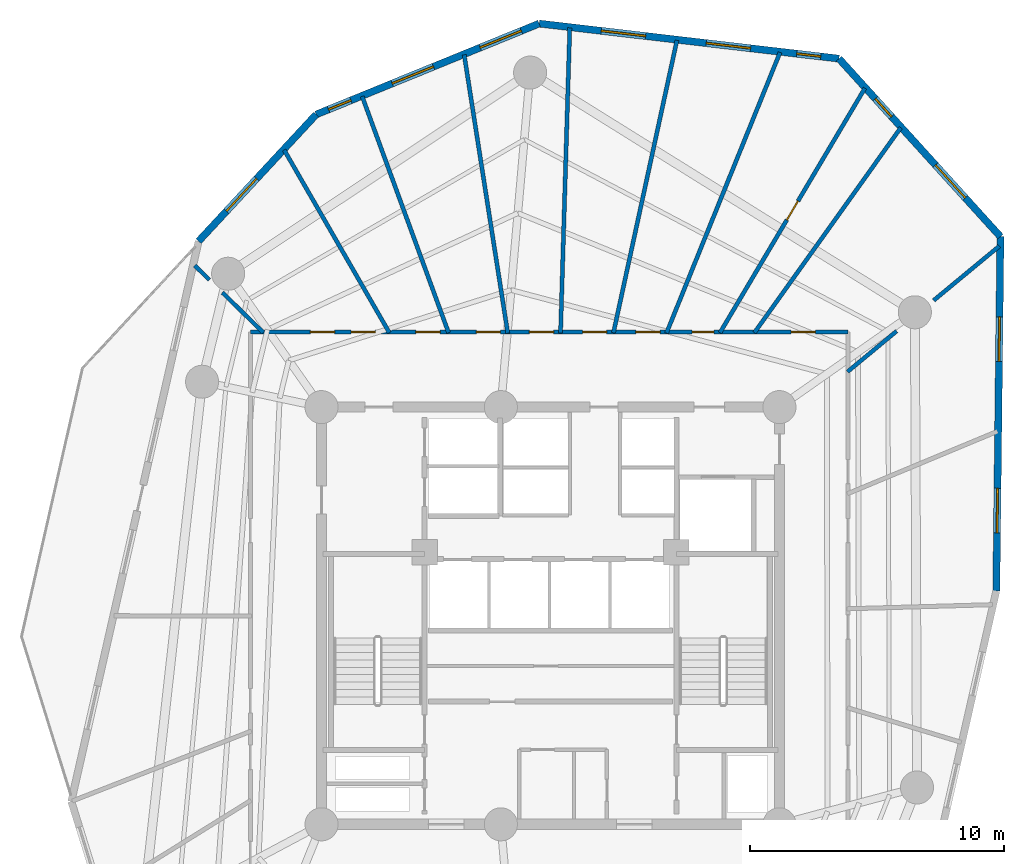
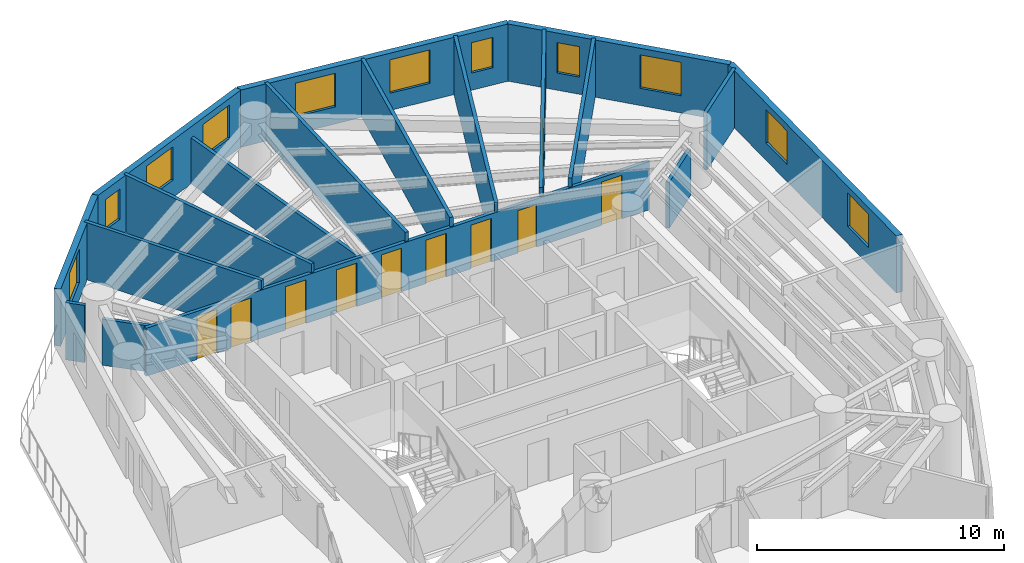
# One storey, part 6 of 9: 18 walls, 11 windows, 10 doors, 21 openings.
"""IFC4 building model written with IfcOpenShell, lengths in metres."""

from ifc_helpers import new_model, si_unit, direction, frame, frame_2d, origin, origin_with_axes, place, context, subcontext, project, spatial, rectangle, extrude, source, transform, mapped, material, layer, layer_set, type_object, element, fill, save


model = new_model("IFC4")

# Units and contexts
model_context = context("Model", 3, precision=1e-05, world=origin(), true_north=direction((0.0, 1.0)))
body_context = subcontext(model_context, "Body", "Model", "MODEL_VIEW")
ifc_project = project(units=[si_unit("LENGTHUNIT", "METRE"), si_unit("AREAUNIT", "SQUARE_METRE"), si_unit("VOLUMEUNIT", "CUBIC_METRE"), si_unit("PLANEANGLEUNIT", "RADIAN"), si_unit("MASSUNIT", "GRAM", prefix="KILO")], contexts=[model_context])

# Site, building, storey
site_placement = place(None, origin())
site = spatial("IfcSite", under=ifc_project, at=site_placement, CompositionType="ELEMENT")
building_placement = place(site_placement, origin())
building = spatial("IfcBuilding", under=site, at=building_placement, Name="Karkom Vertical University and Central Library", CompositionType="ELEMENT")
storey_placement = place(building_placement, frame((0.0, 0.0, 156.550048828125)))
storey = spatial("IfcBuildingStorey", under=building, at=storey_placement, Name="L44", CompositionType="ELEMENT", Elevation=156.550048828125)

# Wall, openings, windows
ifc_material_1 = material(Name="Brick-faced precast concrete C45/55", Category="masonry")
ifc_layer_1 = layer(ifc_material_1, 0.280029296875)
ifc_layer_set_1 = layer_set([ifc_layer_1], Name="Brick-faced precast concrete C45/55")
wall_type_1 = type_object("IfcWallType", Name="ENV-WL-BRK-280", PredefinedType="SOLIDWALL", material=ifc_layer_set_1)
wall_1_placement = place(storey_placement, frame((46.027099609375, 27.477294921875, 0.0), z_axis=(0.0, 0.0, 1.0), x_axis=(0.011517670731, 0.999933669431, 0.0)))
wall_1 = element("IfcWall", 1, at=wall_1_placement, inside=storey, type_object=wall_type_1, Name="Level 44 Brick-Faced Precast Facade Wall 07", PredefinedType="SOLIDWALL", context=body_context, shape_type="SweptSolid", body=[
    extrude(rectangle(XDim=13.926513671875, YDim=0.280029296875, at=frame_2d((6.96337890625, 0.0))), origin(), (0.0, 0.0, 1.0), 2.824951171875),
])
opening_1_placement = place(wall_1_placement, frame((2.283203125, 0.0, 0.85009765625)))
opening_1 = element("IfcOpeningElement", 2, at=opening_1_placement, cuts=wall_1, Name="Opening WN-08", PredefinedType="OPENING", context=body_context, shape_type="SweptSolid", body=[
    extrude(rectangle(XDim=1.75, YDim=1.64990234375, at=frame_2d((0.875, 0.824951171875))), frame((0.0, 0.14990234375, 0.0), z_axis=(0.0, -1.0, 0.0), x_axis=(1.0, 0.0, 0.0)), (0.0, 0.0, 1.0), 0.300048828125),
])
opening_2_placement = place(wall_1_placement, frame((9.018310546875, 0.0, 0.85009765625)))
opening_2 = element("IfcOpeningElement", 3, at=opening_2_placement, cuts=wall_1, Name="Opening WN-08", PredefinedType="OPENING", context=body_context, shape_type="SweptSolid", body=[
    extrude(rectangle(XDim=1.75, YDim=1.64990234375, at=frame_2d((0.875, 0.824951171875))), frame((0.0, 0.14990234375, 0.0), z_axis=(0.0, -1.0, 0.0), x_axis=(1.0, 0.0, 0.0)), (0.0, 0.0, 1.0), 0.300048828125),
])
ifc_material_2 = material(Name="Aluminium thermal-break frame with solar-control IGU", Category="aluminium")
window_type_1 = type_object("IfcWindowType", Name="ENV-WIN-WN-08", PartitioningType="SINGLE_PANEL", PredefinedType="WINDOW", material=ifc_material_2)
shared_shape_1 = source(origin_with_axes(), body_context, "Body", "SweptSolid", [
    extrude(rectangle(XDim=1.75, YDim=1.64990234375, at=frame_2d((0.875, 0.824951171875))), frame((0.0, 0.030029296875, 0.0), z_axis=(0.0, -1.0, 0.0), x_axis=(1.0, 0.0, 0.0)), (0.0, 0.0, 1.0), 0.06005859375),
])
window_1_placement = place(opening_1_placement, origin())
window_1 = element("IfcWindow", 4, at=window_1_placement, inside=storey, type_object=window_type_1, Name="Level 44 Punched Window 7.1", OverallHeight=1.64990234375, OverallWidth=1.75, PartitioningType="SINGLE_PANEL", PredefinedType="WINDOW", context=body_context, shape_type="MappedRepresentation", body=[
    mapped(shared_shape_1, transform((0.0, 0.0, 0.0), scale=1.0)),
])
fill(opening_1, window_1)
window_2_placement = place(opening_2_placement, origin())
window_2 = element("IfcWindow", 5, at=window_2_placement, inside=storey, type_object=window_type_1, Name="Level 44 Punched Window 7.2", OverallHeight=1.64990234375, OverallWidth=1.75, PartitioningType="SINGLE_PANEL", PredefinedType="WINDOW", context=body_context, shape_type="MappedRepresentation", body=[
    mapped(shared_shape_1, transform((0.0, 0.0, 0.0), scale=1.0)),
])
fill(opening_2, window_2)

wall_2_placement = place(storey_placement, frame((46.1875, 41.40283203125, 0.0), z_axis=(0.0, 0.0, 1.0), x_axis=(-0.671855500446, 0.740682243962, 0.0)))
wall_2 = element("IfcWall", 6, at=wall_2_placement, inside=storey, type_object=wall_type_1, Name="Level 44 Brick-Faced Precast Facade Wall 08", PredefinedType="SOLIDWALL", context=body_context, shape_type="SweptSolid", body=[
    extrude(rectangle(XDim=9.446044921875, YDim=0.280029296875, at=frame_2d((4.72314453125, 0.0))), origin(), (0.0, 0.0, 1.0), 2.824951171875),
])
opening_3_placement = place(wall_2_placement, frame((2.052734375, 0.0, 0.85009765625)))
opening_3 = element("IfcOpeningElement", 7, at=opening_3_placement, cuts=wall_2, Name="Opening WN-08", PredefinedType="OPENING", context=body_context, shape_type="SweptSolid", body=[
    extrude(rectangle(XDim=1.75, YDim=1.64990234375, at=frame_2d((0.875, 0.824951171875))), frame((0.0, 0.14990234375, 0.0), z_axis=(0.0, -1.0, 0.0), x_axis=(1.0, 0.0, 0.0)), (0.0, 0.0, 1.0), 0.300048828125),
])
opening_4_placement = place(wall_2_placement, frame((6.36767578125, 0.0, 0.85009765625)))
opening_4 = element("IfcOpeningElement", 8, at=opening_4_placement, cuts=wall_2, Name="Opening WN-12", PredefinedType="OPENING", context=body_context, shape_type="SweptSolid", body=[
    extrude(rectangle(XDim=0.949951171875, YDim=1.5, at=frame_2d((0.47509765625, 0.75))), frame((0.0, 0.14990234375, 0.0), z_axis=(0.0, -1.0, 0.0), x_axis=(1.0, 0.0, 0.0)), (0.0, 0.0, 1.0), 0.300048828125),
])
window_type_2 = type_object("IfcWindowType", Name="ENV-WIN-WN-12", PartitioningType="SINGLE_PANEL", PredefinedType="WINDOW", material=ifc_material_2)
shared_shape_2 = source(origin_with_axes(), body_context, "Body", "SweptSolid", [
    extrude(rectangle(XDim=0.949951171875, YDim=1.5, at=frame_2d((0.47509765625, 0.75))), frame((0.0, 0.030029296875, 0.0), z_axis=(0.0, -1.0, 0.0), x_axis=(1.0, 0.0, 0.0)), (0.0, 0.0, 1.0), 0.06005859375),
])
window_3_placement = place(opening_4_placement, origin())
window_3 = element("IfcWindow", 9, at=window_3_placement, inside=storey, type_object=window_type_2, Name="Level 44 Punched Window 8.2", OverallHeight=1.5, OverallWidth=0.949951171875, PartitioningType="SINGLE_PANEL", PredefinedType="WINDOW", context=body_context, shape_type="MappedRepresentation", body=[
    mapped(shared_shape_2, transform((0.0, 0.0, 0.0), scale=1.0)),
])
fill(opening_4, window_3)
window_4_placement = place(opening_3_placement, origin())
window_4 = element("IfcWindow", 10, at=window_4_placement, inside=storey, type_object=window_type_1, Name="Level 44 Punched Window 8.1", OverallHeight=1.64990234375, OverallWidth=1.75, PartitioningType="SINGLE_PANEL", PredefinedType="WINDOW", context=body_context, shape_type="MappedRepresentation", body=[
    mapped(shared_shape_1, transform((0.0, 0.0, 0.0), scale=1.0)),
])
fill(opening_3, window_4)

wall_3_placement = place(storey_placement, frame((39.841064453125, 48.3994140625, 0.0), z_axis=(0.0, 0.0, 1.0), x_axis=(-0.993227616233, 0.116184776764, 0.0)))
wall_3 = element("IfcWall", 11, at=wall_3_placement, inside=storey, type_object=wall_type_1, Name="Level 44 Brick-Faced Precast Facade Wall 09", PredefinedType="SOLIDWALL", context=body_context, shape_type="SweptSolid", body=[
    extrude(rectangle(XDim=11.8681640625, YDim=0.280029296875, at=frame_2d((5.93408203125, 0.0))), origin(), (0.0, 0.0, 1.0), 2.824951171875),
])
opening_5_placement = place(wall_3_placement, frame((0.724609375, 0.0, 0.85009765625)))
opening_5 = element("IfcOpeningElement", 12, at=opening_5_placement, cuts=wall_3, Name="Opening WN-12", PredefinedType="OPENING", context=body_context, shape_type="SweptSolid", body=[
    extrude(rectangle(XDim=0.949951171875, YDim=1.5, at=frame_2d((0.47509765625, 0.75))), frame((0.0, 0.14990234375, 0.0), z_axis=(0.0, -1.0, 0.0), x_axis=(1.0, 0.0, 0.0)), (0.0, 0.0, 1.0), 0.300048828125),
])
opening_6_placement = place(wall_3_placement, frame((3.50146484375, 0.0, 0.85009765625)))
opening_6 = element("IfcOpeningElement", 13, at=opening_6_placement, cuts=wall_3, Name="Opening WN-08", PredefinedType="OPENING", context=body_context, shape_type="SweptSolid", body=[
    extrude(rectangle(XDim=1.75, YDim=1.64990234375, at=frame_2d((0.875, 0.824951171875))), frame((0.0, 0.14990234375, 0.0), z_axis=(0.0, -1.0, 0.0), x_axis=(1.0, 0.0, 0.0)), (0.0, 0.0, 1.0), 0.300048828125),
])
opening_7_placement = place(wall_3_placement, frame((7.656005859375, 0.0, 0.85009765625)))
opening_7 = element("IfcOpeningElement", 14, at=opening_7_placement, cuts=wall_3, Name="Opening WN-08", PredefinedType="OPENING", context=body_context, shape_type="SweptSolid", body=[
    extrude(rectangle(XDim=1.75, YDim=1.64990234375, at=frame_2d((0.875, 0.824951171875))), frame((0.0, 0.14990234375, 0.0), z_axis=(0.0, -1.0, 0.0), x_axis=(1.0, 0.0, 0.0)), (0.0, 0.0, 1.0), 0.300048828125),
])
window_5_placement = place(opening_5_placement, origin())
window_5 = element("IfcWindow", 15, at=window_5_placement, inside=storey, type_object=window_type_2, Name="Level 44 Punched Window 9.1", OverallHeight=1.5, OverallWidth=0.949951171875, PartitioningType="SINGLE_PANEL", PredefinedType="WINDOW", context=body_context, shape_type="MappedRepresentation", body=[
    mapped(shared_shape_2, transform((0.0, 0.0, 0.0), scale=1.0)),
])
fill(opening_5, window_5)
window_6_placement = place(opening_6_placement, origin())
window_6 = element("IfcWindow", 16, at=window_6_placement, inside=storey, type_object=window_type_1, Name="Level 44 Punched Window 9.2", OverallHeight=1.64990234375, OverallWidth=1.75, PartitioningType="SINGLE_PANEL", PredefinedType="WINDOW", context=body_context, shape_type="MappedRepresentation", body=[
    mapped(shared_shape_1, transform((0.0, 0.0, 0.0), scale=1.0)),
])
fill(opening_6, window_6)
window_7_placement = place(opening_7_placement, origin())
window_7 = element("IfcWindow", 17, at=window_7_placement, inside=storey, type_object=window_type_1, Name="Level 44 Punched Window 9.3", OverallHeight=1.64990234375, OverallWidth=1.75, PartitioningType="SINGLE_PANEL", PredefinedType="WINDOW", context=body_context, shape_type="MappedRepresentation", body=[
    mapped(shared_shape_1, transform((0.0, 0.0, 0.0), scale=1.0)),
])
fill(opening_7, window_7)

wall_4_placement = place(storey_placement, frame((28.05322265625, 49.7783203125, 0.0), z_axis=(0.0, 0.0, 1.0), x_axis=(-0.925936748152, -0.377678617903, 0.0)))
wall_4 = element("IfcWall", 18, at=wall_4_placement, inside=storey, type_object=wall_type_1, Name="Level 44 Brick-Faced Precast Facade Wall 10", PredefinedType="SOLIDWALL", context=body_context, shape_type="SweptSolid", body=[
    extrude(rectangle(XDim=9.46630859375, YDim=0.280029296875, at=frame_2d((4.733154296875, 0.0))), origin(), (0.0, 0.0, 1.0), 2.824951171875),
])
opening_8_placement = place(wall_4_placement, frame((0.75439453125, 0.0, 0.85009765625)))
opening_8 = element("IfcOpeningElement", 19, at=opening_8_placement, cuts=wall_4, Name="Opening WN-08", PredefinedType="OPENING", context=body_context, shape_type="SweptSolid", body=[
    extrude(rectangle(XDim=1.75, YDim=1.64990234375, at=frame_2d((0.875, 0.824951171875))), frame((0.0, 0.14990234375, 0.0), z_axis=(0.0, -1.0, 0.0), x_axis=(1.0, 0.0, 0.0)), (0.0, 0.0, 1.0), 0.300048828125),
])
opening_9_placement = place(wall_4_placement, frame((4.486328125, 0.0, 0.85009765625)))
opening_9 = element("IfcOpeningElement", 20, at=opening_9_placement, cuts=wall_4, Name="Opening WN-08", PredefinedType="OPENING", context=body_context, shape_type="SweptSolid", body=[
    extrude(rectangle(XDim=1.75, YDim=1.64990234375, at=frame_2d((0.875, 0.824951171875))), frame((0.0, 0.14990234375, 0.0), z_axis=(0.0, -1.0, 0.0), x_axis=(1.0, 0.0, 0.0)), (0.0, 0.0, 1.0), 0.300048828125),
])
opening_10_placement = place(wall_4_placement, frame((7.989990234375, 0.0, 0.85009765625)))
opening_10 = element("IfcOpeningElement", 21, at=opening_10_placement, cuts=wall_4, Name="Opening WN-12", PredefinedType="OPENING", context=body_context, shape_type="SweptSolid", body=[
    extrude(rectangle(XDim=0.949951171875, YDim=1.5, at=frame_2d((0.47509765625, 0.75))), frame((0.0, 0.14990234375, 0.0), z_axis=(0.0, -1.0, 0.0), x_axis=(1.0, 0.0, 0.0)), (0.0, 0.0, 1.0), 0.300048828125),
])
window_8_placement = place(opening_10_placement, origin())
window_8 = element("IfcWindow", 22, at=window_8_placement, inside=storey, type_object=window_type_2, Name="Level 44 Punched Window 10.3", OverallHeight=1.5, OverallWidth=0.949951171875, PartitioningType="SINGLE_PANEL", PredefinedType="WINDOW", context=body_context, shape_type="MappedRepresentation", body=[
    mapped(shared_shape_2, transform((0.0, 0.0, 0.0), scale=1.0)),
])
fill(opening_10, window_8)
window_9_placement = place(opening_8_placement, origin())
window_9 = element("IfcWindow", 23, at=window_9_placement, inside=storey, type_object=window_type_1, Name="Level 44 Punched Window 10.1", OverallHeight=1.64990234375, OverallWidth=1.75, PartitioningType="SINGLE_PANEL", PredefinedType="WINDOW", context=body_context, shape_type="MappedRepresentation", body=[
    mapped(shared_shape_1, transform((0.0, 0.0, 0.0), scale=1.0)),
])
fill(opening_8, window_9)
window_10_placement = place(opening_9_placement, origin())
window_10 = element("IfcWindow", 24, at=window_10_placement, inside=storey, type_object=window_type_1, Name="Level 44 Punched Window 10.2", OverallHeight=1.64990234375, OverallWidth=1.75, PartitioningType="SINGLE_PANEL", PredefinedType="WINDOW", context=body_context, shape_type="MappedRepresentation", body=[
    mapped(shared_shape_1, transform((0.0, 0.0, 0.0), scale=1.0)),
])
fill(opening_9, window_10)

# Wall, opening, window
wall_5_placement = place(storey_placement, frame((19.2880859375, 46.203125, 0.0), z_axis=(0.0, 0.0, 1.0), x_axis=(-0.680295338819, -0.7329380956, 0.0)))
wall_5 = element("IfcWall", 25, at=wall_5_placement, inside=storey, type_object=wall_type_1, Name="Level 44 Brick-Faced Precast Facade Wall 11", PredefinedType="SOLIDWALL", context=body_context, shape_type="SweptSolid", body=[
    extrude(rectangle(XDim=6.794189453125, YDim=0.280029296875, at=frame_2d((3.39697265625, 0.0))), origin(), (0.0, 0.0, 1.0), 2.824951171875),
])
opening_11_placement = place(wall_5_placement, frame((3.435546875, 0.0, 0.85009765625)))
opening_11 = element("IfcOpeningElement", 26, at=opening_11_placement, cuts=wall_5, Name="Opening WN-08", PredefinedType="OPENING", context=body_context, shape_type="SweptSolid", body=[
    extrude(rectangle(XDim=1.75, YDim=1.64990234375, at=frame_2d((0.875, 0.824951171875))), frame((0.0, 0.14990234375, 0.0), z_axis=(0.0, -1.0, 0.0), x_axis=(1.0, 0.0, 0.0)), (0.0, 0.0, 1.0), 0.300048828125),
])
window_11_placement = place(opening_11_placement, origin())
window_11 = element("IfcWindow", 27, at=window_11_placement, inside=storey, type_object=window_type_1, Name="Level 44 Punched Window 11.1", OverallHeight=1.64990234375, OverallWidth=1.75, PartitioningType="SINGLE_PANEL", PredefinedType="WINDOW", context=body_context, shape_type="MappedRepresentation", body=[
    mapped(shared_shape_1, transform((0.0, 0.0, 0.0), scale=1.0)),
])
fill(opening_11, window_11)

# Wall, openings, doors
ifc_material_3 = material(Name="Insulated metal-stud drywall 160mm", Category="gypsum")
ifc_layer_2 = layer(ifc_material_3, 0.159912109375)
ifc_layer_set_2 = layer_set([ifc_layer_2], Name="Insulated metal-stud drywall 160mm")
wall_type_2 = type_object("IfcWallType", Name="INT-WL-COR-160", PredefinedType="PARTITIONING", material=ifc_layer_set_2)
wall_6_placement = place(storey_placement, frame((16.699951171875, 37.64990234375, 0.0), z_axis=(0.0, 0.0, 1.0), x_axis=(1.0, 0.0, 0.0)))
wall_6 = element("IfcWall", 28, at=wall_6_placement, inside=storey, type_object=wall_type_2, Name="Level 44 Interior Partition Wall L44-CORW-CW-003", PredefinedType="PARTITIONING", context=body_context, shape_type="SweptSolid", body=[
    extrude(rectangle(XDim=23.5, YDim=0.159912109375, at=frame_2d((11.75, 0.0))), origin(), (0.0, 0.0, 1.0), 2.375),
])
opening_12_placement = place(wall_6_placement, frame((21.260498046875, 0.0, 0.0)))
opening_12 = element("IfcOpeningElement", 29, at=opening_12_placement, cuts=wall_6, Name="Opening D-RM1", PredefinedType="OPENING", context=body_context, shape_type="SweptSolid", body=[
    extrude(rectangle(XDim=0.949951171875, YDim=2.14990234375, at=frame_2d((0.47509765625, 1.074951171875))), frame((0.0, 0.08984375, 0.0), z_axis=(0.0, -1.0, 0.0), x_axis=(1.0, 0.0, 0.0)), (0.0, 0.0, 1.0), 0.179931640625),
])
opening_13_placement = place(wall_6_placement, frame((17.364501953125, 0.0, 0.0)))
opening_13 = element("IfcOpeningElement", 30, at=opening_13_placement, cuts=wall_6, Name="Opening D-BATH", PredefinedType="OPENING", context=body_context, shape_type="SweptSolid", body=[
    extrude(rectangle(XDim=0.860107421875, YDim=2.10009765625, at=frame_2d((0.43017578125, 1.050048828125))), frame((0.0, 0.08984375, 0.0), z_axis=(0.0, -1.0, 0.0), x_axis=(1.0, 0.0, 0.0)), (0.0, 0.0, 1.0), 0.179931640625),
])
opening_14_placement = place(wall_6_placement, frame((15.159912109375, 0.0, 0.0)))
opening_14 = element("IfcOpeningElement", 31, at=opening_14_placement, cuts=wall_6, Name="Opening D-RM1", PredefinedType="OPENING", context=body_context, shape_type="SweptSolid", body=[
    extrude(rectangle(XDim=0.949951171875, YDim=2.14990234375, at=frame_2d((0.47509765625, 1.074951171875))), frame((0.0, 0.08984375, 0.0), z_axis=(0.0, -1.0, 0.0), x_axis=(1.0, 0.0, 0.0)), (0.0, 0.0, 1.0), 0.179931640625),
])
opening_15_placement = place(wall_6_placement, frame((13.06005859375, 0.0, 0.0)))
opening_15 = element("IfcOpeningElement", 32, at=opening_15_placement, cuts=wall_6, Name="Opening D-RM1", PredefinedType="OPENING", context=body_context, shape_type="SweptSolid", body=[
    extrude(rectangle(XDim=0.949951171875, YDim=2.14990234375, at=frame_2d((0.47509765625, 1.074951171875))), frame((0.0, 0.08984375, 0.0), z_axis=(0.0, -1.0, 0.0), x_axis=(1.0, 0.0, 0.0)), (0.0, 0.0, 1.0), 0.179931640625),
])
opening_16_placement = place(wall_6_placement, frame((10.972900390625, 0.0, 0.0)))
opening_16 = element("IfcOpeningElement", 33, at=opening_16_placement, cuts=wall_6, Name="Opening D-RM1", PredefinedType="OPENING", context=body_context, shape_type="SweptSolid", body=[
    extrude(rectangle(XDim=0.949951171875, YDim=2.14990234375, at=frame_2d((0.47509765625, 1.074951171875))), frame((0.0, 0.08984375, 0.0), z_axis=(0.0, -1.0, 0.0), x_axis=(1.0, 0.0, 0.0)), (0.0, 0.0, 1.0), 0.179931640625),
])
opening_17_placement = place(wall_6_placement, frame((8.885009765625, 0.0, 0.0)))
opening_17 = element("IfcOpeningElement", 34, at=opening_17_placement, cuts=wall_6, Name="Opening D-RM1", PredefinedType="OPENING", context=body_context, shape_type="SweptSolid", body=[
    extrude(rectangle(XDim=0.949951171875, YDim=2.14990234375, at=frame_2d((0.47509765625, 1.074951171875))), frame((0.0, 0.08984375, 0.0), z_axis=(0.0, -1.0, 0.0), x_axis=(1.0, 0.0, 0.0)), (0.0, 0.0, 1.0), 0.179931640625),
])
opening_18_placement = place(wall_6_placement, frame((6.510009765625, 0.0, 0.0)))
opening_18 = element("IfcOpeningElement", 35, at=opening_18_placement, cuts=wall_6, Name="Opening D-RM1", PredefinedType="OPENING", context=body_context, shape_type="SweptSolid", body=[
    extrude(rectangle(XDim=0.949951171875, YDim=2.14990234375, at=frame_2d((0.47509765625, 1.074951171875))), frame((0.0, 0.08984375, 0.0), z_axis=(0.0, -1.0, 0.0), x_axis=(1.0, 0.0, 0.0)), (0.0, 0.0, 1.0), 0.179931640625),
])
opening_19_placement = place(wall_6_placement, frame((3.9599609375, 0.0, 0.0)))
opening_19 = element("IfcOpeningElement", 36, at=opening_19_placement, cuts=wall_6, Name="Opening D-RM1", PredefinedType="OPENING", context=body_context, shape_type="SweptSolid", body=[
    extrude(rectangle(XDim=0.949951171875, YDim=2.14990234375, at=frame_2d((0.47509765625, 1.074951171875))), frame((0.0, 0.08984375, 0.0), z_axis=(0.0, -1.0, 0.0), x_axis=(1.0, 0.0, 0.0)), (0.0, 0.0, 1.0), 0.179931640625),
])
opening_20_placement = place(wall_6_placement, frame((2.363525390625, 0.0, 0.0)))
opening_20 = element("IfcOpeningElement", 37, at=opening_20_placement, cuts=wall_6, Name="Opening D-RM1", PredefinedType="OPENING", context=body_context, shape_type="SweptSolid", body=[
    extrude(rectangle(XDim=0.949951171875, YDim=2.14990234375, at=frame_2d((0.47509765625, 1.074951171875))), frame((0.0, 0.08984375, 0.0), z_axis=(0.0, -1.0, 0.0), x_axis=(1.0, 0.0, 0.0)), (0.0, 0.0, 1.0), 0.179931640625),
])
ifc_material_4 = material(Name="Moisture-resistant oak door", Category="wood")
door_type_1 = type_object("IfcDoorType", Name="INT-DR-BATH", OperationType="NOTDEFINED", PredefinedType="DOOR", material=ifc_material_4)
shared_shape_3 = source(origin_with_axes(), body_context, "Body", "SweptSolid", [
    extrude(rectangle(XDim=0.860107421875, YDim=2.10009765625, at=frame_2d((0.43017578125, 1.050048828125))), frame((0.0, 0.02490234375, 0.0), z_axis=(0.0, -1.0, 0.0), x_axis=(1.0, 0.0, 0.0)), (0.0, 0.0, 1.0), 0.050048828125),
])
door_1_placement = place(opening_13_placement, origin())
door_1 = element("IfcDoor", 38, at=door_1_placement, inside=storey, type_object=door_type_1, Name="Level 44 Room Entry Door 150", OperationType="SINGLE_SWING_LEFT", OverallHeight=2.10009765625, OverallWidth=0.860107421875, PredefinedType="DOOR", context=body_context, shape_type="MappedRepresentation", body=[
    mapped(shared_shape_3, transform((0.0, 0.0, 0.0), scale=1.0)),
])
fill(opening_13, door_1)
ifc_material_5 = material(Name="Solid-core oak veneer door", Category="wood")
door_type_2 = type_object("IfcDoorType", Name="INT-DR-RM1", OperationType="NOTDEFINED", PredefinedType="DOOR", material=ifc_material_5)
shared_shape_4 = source(origin_with_axes(), body_context, "Body", "SweptSolid", [
    extrude(rectangle(XDim=0.949951171875, YDim=2.14990234375, at=frame_2d((0.47509765625, 1.074951171875))), frame((0.0, 0.02490234375, 0.0), z_axis=(0.0, -1.0, 0.0), x_axis=(1.0, 0.0, 0.0)), (0.0, 0.0, 1.0), 0.050048828125),
])
door_2_placement = place(opening_12_placement, origin())
door_2 = element("IfcDoor", 39, at=door_2_placement, inside=storey, type_object=door_type_2, Name="Level 44 Room Entry Door 140", OperationType="SINGLE_SWING_RIGHT", OverallHeight=2.14990234375, OverallWidth=0.949951171875, PredefinedType="DOOR", context=body_context, shape_type="MappedRepresentation", body=[
    mapped(shared_shape_4, transform((0.0, 0.0, 0.0), scale=1.0)),
])
fill(opening_12, door_2)
door_3_placement = place(opening_14_placement, origin())
door_3 = element("IfcDoor", 40, at=door_3_placement, inside=storey, type_object=door_type_2, Name="Level 44 Room Entry Door 160", OperationType="SINGLE_SWING_RIGHT", OverallHeight=2.14990234375, OverallWidth=0.949951171875, PredefinedType="DOOR", context=body_context, shape_type="MappedRepresentation", body=[
    mapped(shared_shape_4, transform((0.0, 0.0, 0.0), scale=1.0)),
])
fill(opening_14, door_3)
door_4_placement = place(opening_15_placement, origin())
door_4 = element("IfcDoor", 41, at=door_4_placement, inside=storey, type_object=door_type_2, Name="Level 44 Room Entry Door 170", OperationType="SINGLE_SWING_LEFT", OverallHeight=2.14990234375, OverallWidth=0.949951171875, PredefinedType="DOOR", context=body_context, shape_type="MappedRepresentation", body=[
    mapped(shared_shape_4, transform((0.0, 0.0, 0.0), scale=1.0)),
])
fill(opening_15, door_4)
door_5_placement = place(opening_16_placement, origin())
door_5 = element("IfcDoor", 42, at=door_5_placement, inside=storey, type_object=door_type_2, Name="Level 44 Room Entry Door 180", OperationType="SINGLE_SWING_RIGHT", OverallHeight=2.14990234375, OverallWidth=0.949951171875, PredefinedType="DOOR", context=body_context, shape_type="MappedRepresentation", body=[
    mapped(shared_shape_4, transform((0.0, 0.0, 0.0), scale=1.0)),
])
fill(opening_16, door_5)
door_6_placement = place(opening_17_placement, origin())
door_6 = element("IfcDoor", 43, at=door_6_placement, inside=storey, type_object=door_type_2, Name="Level 44 Room Entry Door 190", OperationType="SINGLE_SWING_LEFT", OverallHeight=2.14990234375, OverallWidth=0.949951171875, PredefinedType="DOOR", context=body_context, shape_type="MappedRepresentation", body=[
    mapped(shared_shape_4, transform((0.0, 0.0, 0.0), scale=1.0)),
])
fill(opening_17, door_6)
door_7_placement = place(opening_18_placement, origin())
door_7 = element("IfcDoor", 44, at=door_7_placement, inside=storey, type_object=door_type_2, Name="Level 44 Room Entry Door 200", OperationType="SINGLE_SWING_RIGHT", OverallHeight=2.14990234375, OverallWidth=0.949951171875, PredefinedType="DOOR", context=body_context, shape_type="MappedRepresentation", body=[
    mapped(shared_shape_4, transform((0.0, 0.0, 0.0), scale=1.0)),
])
fill(opening_18, door_7)
door_8_placement = place(opening_19_placement, origin())
door_8 = element("IfcDoor", 45, at=door_8_placement, inside=storey, type_object=door_type_2, Name="Level 44 Room Entry Door 210", OperationType="SINGLE_SWING_LEFT", OverallHeight=2.14990234375, OverallWidth=0.949951171875, PredefinedType="DOOR", context=body_context, shape_type="MappedRepresentation", body=[
    mapped(shared_shape_4, transform((0.0, 0.0, 0.0), scale=1.0)),
])
fill(opening_19, door_8)
door_9_placement = place(opening_20_placement, origin())
door_9 = element("IfcDoor", 46, at=door_9_placement, inside=storey, type_object=door_type_2, Name="Level 44 Room Entry Door 220", OperationType="SINGLE_SWING_RIGHT", OverallHeight=2.14990234375, OverallWidth=0.949951171875, PredefinedType="DOOR", context=body_context, shape_type="MappedRepresentation", body=[
    mapped(shared_shape_4, transform((0.0, 0.0, 0.0), scale=1.0)),
])
fill(opening_20, door_9)

# Walls
wall_7_placement = place(storey_placement, frame((28.896240234375, 37.6201171875, 0.0), z_axis=(0.0, 0.0, 1.0), x_axis=(0.030219507722, 0.999543286383, 0.0)))
element("IfcWall", 47, at=wall_7_placement, inside=storey, type_object=wall_type_2, Name="Level 44 Interior Partition Wall L44-PW-022", PredefinedType="PARTITIONING", context=body_context, shape_type="SweptSolid", body=[
    extrude(rectangle(XDim=11.9970703125, YDim=0.159912109375, at=frame_2d((5.99853515625, 0.0))), origin(), (0.0, 0.0, 1.0), 2.824951171875),
])
wall_8_placement = place(storey_placement, frame((33.05908203125, 37.6083984375, 0.0), z_axis=(0.0, 0.0, 1.0), x_axis=(0.375079467642, 0.926992660679, 0.0)))
element("IfcWall", 48, at=wall_8_placement, inside=storey, type_object=wall_type_2, Name="Level 44 Interior Partition Wall L44-PW-020", PredefinedType="PARTITIONING", context=body_context, shape_type="SweptSolid", body=[
    extrude(rectangle(XDim=11.90380859375, YDim=0.159912109375, at=frame_2d((5.951904296875, 0.0))), origin(), (0.0, 0.0, 1.0), 2.824951171875),
])
wall_9_placement = place(storey_placement, frame((30.975341796875, 37.62060546875, 0.0), z_axis=(0.0, 0.0, 1.0), x_axis=(0.212118658354, 0.977243917749, 0.0)))
element("IfcWall", 49, at=wall_9_placement, inside=storey, type_object=wall_type_2, Name="Level 44 Interior Partition Wall L44-PW-021", PredefinedType="PARTITIONING", context=body_context, shape_type="SweptSolid", body=[
    extrude(rectangle(XDim=11.766357421875, YDim=0.159912109375, at=frame_2d((5.88330078125, 0.0))), origin(), (0.0, 0.0, 1.0), 2.824951171875),
])

# Wall, opening, door
wall_10_placement = place(storey_placement, frame((35.16259765625, 37.624267578125, 0.0), z_axis=(0.0, 0.0, 1.0), x_axis=(0.509838328303, 0.860270236026, 0.0)))
wall_10 = element("IfcWall", 50, at=wall_10_placement, inside=storey, type_object=wall_type_2, Name="Level 44 Interior Partition Wall L44-PW-019", PredefinedType="PARTITIONING", context=body_context, shape_type="SweptSolid", body=[
    extrude(rectangle(XDim=11.1728515625, YDim=0.159912109375, at=frame_2d((5.58642578125, 0.0))), origin(), (0.0, 0.0, 1.0), 2.824951171875),
])
opening_21_placement = place(wall_10_placement, frame((5.156494140625, 0.0, 0.0)))
opening_21 = element("IfcOpeningElement", 51, at=opening_21_placement, cuts=wall_10, Name="Opening FD-BTH2", PredefinedType="OPENING", context=body_context, shape_type="SweptSolid", body=[
    extrude(rectangle(XDim=0.860107421875, YDim=2.0400390625, at=frame_2d((0.43017578125, 1.02001953125))), frame((0.0, 0.08984375, 0.0), z_axis=(0.0, -1.0, 0.0), x_axis=(1.0, 0.0, 0.0)), (0.0, 0.0, 1.0), 0.179931640625),
])
ifc_material_6 = material(Name="Fire-rated moisture-resistant oak door", Category="wood")
door_type_3 = type_object("IfcDoorType", Name="INT-DR-FBTH2", OperationType="NOTDEFINED", PredefinedType="DOOR", material=ifc_material_6)
shared_shape_5 = source(origin_with_axes(), body_context, "Body", "SweptSolid", [
    extrude(rectangle(XDim=0.860107421875, YDim=2.0400390625, at=frame_2d((0.43017578125, 1.02001953125))), frame((0.0, 0.02490234375, 0.0), z_axis=(0.0, -1.0, 0.0), x_axis=(1.0, 0.0, 0.0)), (0.0, 0.0, 1.0), 0.050048828125),
])
door_10_placement = place(opening_21_placement, origin())
door_10 = element("IfcDoor", 52, at=door_10_placement, inside=storey, type_object=door_type_3, Name="Level 44 Faculty Consultation and Research Office Entry Door", OperationType="SINGLE_SWING_LEFT", OverallHeight=2.0400390625, OverallWidth=0.860107421875, PredefinedType="DOOR", context=body_context, shape_type="MappedRepresentation", body=[
    mapped(shared_shape_5, transform((0.0, 0.0, 0.0), scale=1.0)),
])
fill(opening_21, door_10)

# Walls
wall_11_placement = place(storey_placement, frame((26.822021484375, 37.605712890625, 0.0), z_axis=(0.0, 0.0, 1.0), x_axis=(-0.154668693612, 0.987966393769, 0.0)))
element("IfcWall", 53, at=wall_11_placement, inside=storey, type_object=wall_type_2, Name="Level 44 Interior Partition Wall L44-PW-023", PredefinedType="PARTITIONING", context=body_context, shape_type="SweptSolid", body=[
    extrude(rectangle(XDim=11.076171875, YDim=0.159912109375, at=frame_2d((5.5380859375, 0.0))), origin(), (0.0, 0.0, 1.0), 2.27490234375),
])
wall_12_placement = place(storey_placement, frame((36.5166015625, 37.62548828125, 0.0), z_axis=(0.0, 0.0, 1.0), x_axis=(0.581053898372, 0.813865079228, 0.0)))
element("IfcWall", 54, at=wall_12_placement, inside=storey, type_object=wall_type_2, Name="Level 44 Interior Partition Wall L44-PW-018", PredefinedType="PARTITIONING", context=body_context, shape_type="SweptSolid", body=[
    extrude(rectangle(XDim=9.900390625, YDim=0.159912109375, at=frame_2d((4.9501953125, 0.0))), origin(), (0.0, 0.0, 1.0), 2.824951171875),
])
wall_13_placement = place(storey_placement, frame((24.495849609375, 37.621826171875, 0.0), z_axis=(0.0, 0.0, 1.0), x_axis=(-0.343499789381, 0.939152753654, 0.0)))
element("IfcWall", 55, at=wall_13_placement, inside=storey, type_object=wall_type_2, Name="Level 44 Interior Partition Wall L44-PW-024", PredefinedType="PARTITIONING", context=body_context, shape_type="SweptSolid", body=[
    extrude(rectangle(XDim=9.894287109375, YDim=0.159912109375, at=frame_2d((4.947265625, 0.0))), origin(), (0.0, 0.0, 1.0), 2.824951171875),
])
wall_14_placement = place(storey_placement, frame((22.1669921875, 37.6240234375, 0.0), z_axis=(0.0, 0.0, 1.0), x_axis=(-0.498845132143, 0.866691141144, 0.0)))
element("IfcWall", 56, at=wall_14_placement, inside=storey, type_object=wall_type_2, Name="Level 44 Interior Partition Wall L44-PW-025", PredefinedType="PARTITIONING", context=body_context, shape_type="SweptSolid", body=[
    extrude(rectangle(XDim=8.28955078125, YDim=0.159912109375, at=frame_2d((4.144775390625, 0.0))), origin(), (0.0, 0.0, 1.0), 2.824951171875),
])
wall_15_placement = place(storey_placement, frame((43.56396484375, 38.89501953125, 0.0), z_axis=(0.0, 0.0, 1.0), x_axis=(0.770279444243, 0.637706498145, 0.0)))
element("IfcWall", 57, at=wall_15_placement, inside=storey, type_object=wall_type_2, Name="Level 44 Interior Partition Wall L44-PW-017", PredefinedType="PARTITIONING", context=body_context, shape_type="SweptSolid", body=[
    extrude(rectangle(XDim=3.347900390625, YDim=0.159912109375, at=frame_2d((1.673828125, 0.0))), origin(), (0.0, 0.0, 1.0), 2.824951171875),
])
wall_16_placement = place(storey_placement, frame((40.177001953125, 36.09033203125, 0.0), z_axis=(0.0, 0.0, 1.0), x_axis=(0.770222621375, 0.637775127708, 0.0)))
element("IfcWall", 58, at=wall_16_placement, inside=storey, type_object=wall_type_2, Name="Level 44 Interior Partition Wall L44-PW-016", PredefinedType="PARTITIONING", context=body_context, shape_type="SweptSolid", body=[
    extrude(rectangle(XDim=2.505126953125, YDim=0.159912109375, at=frame_2d((1.25244140625, 0.0))), origin(), (0.0, 0.0, 1.0), 2.27490234375),
])
wall_17_placement = place(storey_placement, frame((17.212890625, 37.62890625, 0.0), z_axis=(0.0, 0.0, 1.0), x_axis=(-0.71471376476, 0.699417067609, 0.0)))
element("IfcWall", 59, at=wall_17_placement, inside=storey, type_object=wall_type_2, Name="Level 44 Interior Partition Wall L44-PW-026", PredefinedType="PARTITIONING", context=body_context, shape_type="SweptSolid", body=[
    extrude(rectangle(XDim=2.25048828125, YDim=0.159912109375, at=frame_2d((1.125244140625, 0.0))), origin(), (0.0, 0.0, 1.0), 2.27490234375),
])
wall_18_placement = place(storey_placement, frame((15.089111328125, 39.707275390625, 0.0), z_axis=(0.0, 0.0, 1.0), x_axis=(-0.714817505013, 0.699311042761, 0.0)))
element("IfcWall", 60, at=wall_18_placement, inside=storey, type_object=wall_type_2, Name="Level 44 Interior Partition Wall L44-PW-027", PredefinedType="PARTITIONING", context=body_context, shape_type="SweptSolid", body=[
    extrude(rectangle(XDim=0.802978515625, YDim=0.159912109375, at=frame_2d((0.4013671875, 0.0))), origin(), (0.0, 0.0, 1.0), 2.824951171875),
])

save(model, "model.ifc")
